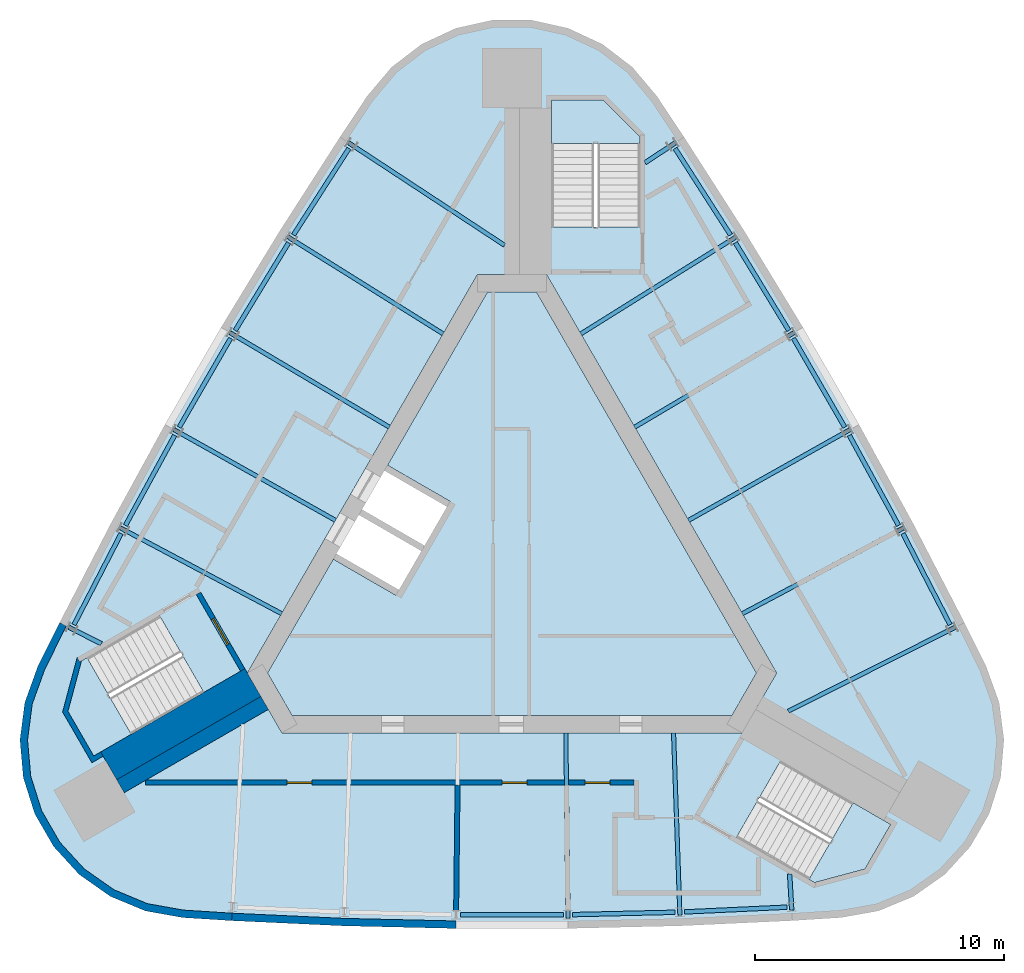
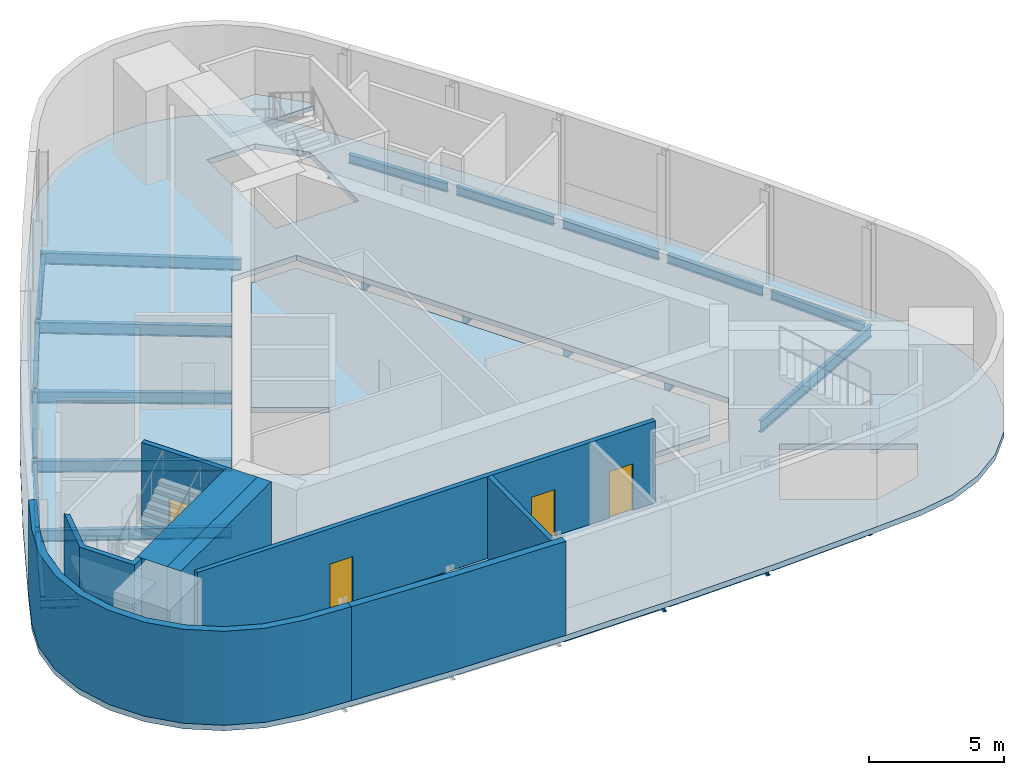
# One storey, part 3 of 7: 28 beams, 8 walls, 5 slabs, 4 doors, 4 openings, 3 elements without a shape of their own.
"""IFC4 building model written with IfcOpenShell, lengths in metres."""

from ifc_helpers import new_model, si_unit, direction, frame, frame_2d, origin, origin_2d, place, context, subcontext, project, spatial, polyline, rectangle, i_section, outline, extrude, material, layer, layer_set, material_profile, profile_set, type_object, element, fill, aggregate, save


model = new_model("IFC4")

# Units and contexts
model_context = context("Model", 3, precision=1e-05, world=origin(), true_north=direction((0.0, 1.0)))
body_context = subcontext(model_context, "Body", "Model", "MODEL_VIEW")
ifc_project = project(units=[si_unit("LENGTHUNIT", "METRE"), si_unit("AREAUNIT", "SQUARE_METRE"), si_unit("VOLUMEUNIT", "CUBIC_METRE"), si_unit("PLANEANGLEUNIT", "RADIAN"), si_unit("MASSUNIT", "GRAM", prefix="KILO")], contexts=[model_context])

# Site, building, storey
site_placement = place(None, origin())
site = spatial("IfcSite", under=ifc_project, at=site_placement, CompositionType="ELEMENT")
building_placement = place(site_placement, origin())
building = spatial("IfcBuilding", under=site, at=building_placement, Name="Noor Cloister Tower", CompositionType="ELEMENT")
storey_placement = place(building_placement, frame((0.0, 0.0, 293.10009765625)))
storey = spatial("IfcBuildingStorey", under=building, at=storey_placement, Name="L74", CompositionType="ELEMENT", Elevation=293.10009765625)

# Beams
ifc_material_1 = material(Name="Steel ASTM A992 Gr 50", Category="steel")
ifc_material_profile_1 = material_profile(ifc_material_1, i_section(OverallWidth=0.177978515625, OverallDepth=0.406005859375, WebThickness=0.0078125, FlangeThickness=0.0126953125, FilletRadius=0.01025390625, at=origin_2d()), Name="W410x60")
ifc_profile_set_1 = profile_set([ifc_material_profile_1], Name="Steel ASTM A992 Gr 50")
beam_type_1 = type_object("IfcBeamType", Name="Radial beam W410x60", PredefinedType="BEAM", material=ifc_profile_set_1)
for number, where, z_axis, x_axis, name in (
    (1, (-17.762451171875, -2.69921875, -0.453125), (0.893513410786, -0.449036507141, 0.0), (0.449036507141, 0.893513410786, 0.0), "Radial beam NW 06 L74"),
    (2, (11.218994140625, -14.033203125, -0.453125), (-0.058088486933, 0.998311438222, 0.0), (-0.998311438222, -0.058088486933, 0.0), "Radial beam S 06 L74"),
    (3, (6.543701171875, 16.732421875, -0.453125), (-0.835592525802, -0.549349734526, 0.0), (0.549349734526, -0.835592525802, 0.0), "Radial beam NE 06 L74"),
):
    element("IfcBeam", number, at=place(storey_placement, frame(where, z_axis=z_axis, x_axis=x_axis)), inside=storey, type_object=beam_type_1, Name=name, PredefinedType="BEAM", context=body_context, shape_type="SweptSolid", body=[
        extrude(i_section(OverallWidth=0.177978515625, OverallDepth=0.406005859375, WebThickness=0.0078125, FlangeThickness=0.0126953125, FilletRadius=0.01025390625, at=origin_2d()), origin(), (0.0, 0.0, 1.0), 1.44580078125),
    ])
ifc_material_2 = material(Name="Steel ASTM A992 Gr 50", Category="steel")
ifc_material_profile_2 = material_profile(ifc_material_2, i_section(OverallWidth=0.166015625, OverallDepth=0.528076171875, WebThickness=0.009765625, FlangeThickness=0.013671875, FilletRadius=0.0126953125, at=origin_2d()), Name="W530x74")
ifc_profile_set_2 = profile_set([ifc_material_profile_2], Name="Steel ASTM A992 Gr 50")
beam_type_2 = type_object("IfcBeamType", Name="Radial beam W530x74", PredefinedType="BEAM", material=ifc_profile_set_2)
beam_1_placement = place(storey_placement, frame((-6.543701171875, 16.732421875, -0.51416015625), z_axis=(0.835597066484, -0.549342827825, 0.0), x_axis=(0.549342827825, 0.835597066484, 0.0)))
element("IfcBeam", 4, at=beam_1_placement, inside=storey, type_object=beam_type_2, Name="Radial beam NW 01 L74", PredefinedType="BEAM", context=body_context, shape_type="SweptSolid", body=[
    extrude(i_section(OverallWidth=0.166015625, OverallDepth=0.528076171875, WebThickness=0.009765625, FlangeThickness=0.013671875, FilletRadius=0.0126953125, at=origin_2d()), origin(), (0.0, 0.0, 1.0), 7.47216796875),
])
beam_2_placement = place(storey_placement, frame((-8.966552734375, 12.952392578125, -0.51416015625), z_axis=(0.848095755563, -0.529842985606, 0.0), x_axis=(0.529842985606, 0.848095755563, 0.0)))
element("IfcBeam", 5, at=beam_2_placement, inside=storey, type_object=beam_type_2, Name="Radial beam NW 02 L74", PredefinedType="BEAM", context=body_context, shape_type="SweptSolid", body=[
    extrude(i_section(OverallWidth=0.166015625, OverallDepth=0.528076171875, WebThickness=0.009765625, FlangeThickness=0.013671875, FilletRadius=0.0126953125, at=origin_2d()), origin(), (0.0, 0.0, 1.0), 7.317626953125),
])
beam_3_placement = place(storey_placement, frame((-11.301025390625, 9.116943359375, -0.51416015625), z_axis=(0.8601674766, -0.510011678492, 0.0), x_axis=(0.510011678492, 0.8601674766, 0.0)))
element("IfcBeam", 6, at=beam_3_placement, inside=storey, type_object=beam_type_2, Name="Radial beam NW 03 L74", PredefinedType="BEAM", context=body_context, shape_type="SweptSolid", body=[
    extrude(i_section(OverallWidth=0.166015625, OverallDepth=0.528076171875, WebThickness=0.009765625, FlangeThickness=0.013671875, FilletRadius=0.0126953125, at=origin_2d()), origin(), (0.0, 0.0, 1.0), 7.41796875),
])
beam_4_placement = place(storey_placement, frame((-13.546142578125, 5.228515625, -0.51416015625), z_axis=(0.871771481583, -0.489912730901, 0.0), x_axis=(0.489912730901, 0.871771481583, 0.0)))
element("IfcBeam", 7, at=beam_4_placement, inside=storey, type_object=beam_type_2, Name="Radial beam NW 04 L74", PredefinedType="BEAM", context=body_context, shape_type="SweptSolid", body=[
    extrude(i_section(OverallWidth=0.166015625, OverallDepth=0.528076171875, WebThickness=0.009765625, FlangeThickness=0.013671875, FilletRadius=0.0126953125, at=origin_2d()), origin(), (0.0, 0.0, 1.0), 7.417724609375),
])
beam_5_placement = place(storey_placement, frame((-15.7001953125, 1.2890625, -0.51416015625), z_axis=(0.882900936167, -0.469559300745, 0.0), x_axis=(0.469559300745, 0.882900936167, 0.0)))
element("IfcBeam", 8, at=beam_5_placement, inside=storey, type_object=beam_type_2, Name="Radial beam NW 05 L74", PredefinedType="BEAM", context=body_context, shape_type="SweptSolid", body=[
    extrude(i_section(OverallWidth=0.166015625, OverallDepth=0.528076171875, WebThickness=0.009765625, FlangeThickness=0.013671875, FilletRadius=0.0126953125, at=origin_2d()), origin(), (0.0, 0.0, 1.0), 7.317626953125),
])
beam_6_placement = place(storey_placement, frame((2.244873046875, -14.345458984375, -0.51416015625), z_axis=(-0.011585411151, 0.999932886872, 0.0), x_axis=(-0.999932886872, -0.011585411151, 0.0)))
element("IfcBeam", 9, at=beam_6_placement, inside=storey, type_object=beam_type_2, Name="Radial beam S 04 L74", PredefinedType="BEAM", context=body_context, shape_type="SweptSolid", body=[
    extrude(i_section(OverallWidth=0.166015625, OverallDepth=0.528076171875, WebThickness=0.009765625, FlangeThickness=0.013671875, FilletRadius=0.0126953125, at=origin_2d()), origin(), (0.0, 0.0, 1.0), 7.417724609375),
])
beam_7_placement = place(storey_placement, frame((6.733642578125, -14.241455078125, -0.51416015625), z_axis=(-0.034764484893, 0.999395532605, 0.0), x_axis=(-0.999395532605, -0.034764484893, 0.0)))
element("IfcBeam", 10, at=beam_7_placement, inside=storey, type_object=beam_type_2, Name="Radial beam S 05 L74", PredefinedType="BEAM", context=body_context, shape_type="SweptSolid", body=[
    extrude(i_section(OverallWidth=0.166015625, OverallDepth=0.528076171875, WebThickness=0.009765625, FlangeThickness=0.013671875, FilletRadius=0.0126953125, at=origin_2d()), origin(), (0.0, 0.0, 1.0), 7.317626953125),
])
beam_8_placement = place(storey_placement, frame((17.762451171875, -2.69921875, -0.51416015625), z_axis=(-0.893543245424, -0.448977135897, 0.0), x_axis=(0.448977135897, -0.893543245424, 0.0)))
element("IfcBeam", 11, at=beam_8_placement, inside=storey, type_object=beam_type_2, Name="Radial beam NE 01 L74", PredefinedType="BEAM", context=body_context, shape_type="SweptSolid", body=[
    extrude(i_section(OverallWidth=0.166015625, OverallDepth=0.528076171875, WebThickness=0.009765625, FlangeThickness=0.013671875, FilletRadius=0.0126953125, at=origin_2d()), origin(), (0.0, 0.0, 1.0), 7.471923828125),
])
beam_9_placement = place(storey_placement, frame((15.7001953125, 1.2890625, -0.51416015625), z_axis=(-0.882900936167, -0.469559300745, 0.0), x_axis=(0.469559300745, -0.882900936167, 0.0)))
element("IfcBeam", 12, at=beam_9_placement, inside=storey, type_object=beam_type_2, Name="Radial beam NE 02 L74", PredefinedType="BEAM", context=body_context, shape_type="SweptSolid", body=[
    extrude(i_section(OverallWidth=0.166015625, OverallDepth=0.528076171875, WebThickness=0.009765625, FlangeThickness=0.013671875, FilletRadius=0.0126953125, at=origin_2d()), origin(), (0.0, 0.0, 1.0), 7.317626953125),
])
beam_10_placement = place(storey_placement, frame((13.546142578125, 5.228515625, -0.51416015625), z_axis=(-0.871771481583, -0.489912730901, 0.0), x_axis=(0.489912730901, -0.871771481583, 0.0)))
element("IfcBeam", 13, at=beam_10_placement, inside=storey, type_object=beam_type_2, Name="Radial beam NE 03 L74", PredefinedType="BEAM", context=body_context, shape_type="SweptSolid", body=[
    extrude(i_section(OverallWidth=0.166015625, OverallDepth=0.528076171875, WebThickness=0.009765625, FlangeThickness=0.013671875, FilletRadius=0.0126953125, at=origin_2d()), origin(), (0.0, 0.0, 1.0), 7.417724609375),
])
beam_11_placement = place(storey_placement, frame((11.301025390625, 9.116943359375, -0.51416015625), z_axis=(-0.8601674766, -0.510011678492, 0.0), x_axis=(0.510011678492, -0.8601674766, 0.0)))
element("IfcBeam", 14, at=beam_11_placement, inside=storey, type_object=beam_type_2, Name="Radial beam NE 04 L74", PredefinedType="BEAM", context=body_context, shape_type="SweptSolid", body=[
    extrude(i_section(OverallWidth=0.166015625, OverallDepth=0.528076171875, WebThickness=0.009765625, FlangeThickness=0.013671875, FilletRadius=0.0126953125, at=origin_2d()), origin(), (0.0, 0.0, 1.0), 7.41796875),
])
beam_12_placement = place(storey_placement, frame((8.966552734375, 12.952392578125, -0.51416015625), z_axis=(-0.848095755563, -0.529842985606, 0.0), x_axis=(0.529842985606, -0.848095755563, 0.0)))
element("IfcBeam", 15, at=beam_12_placement, inside=storey, type_object=beam_type_2, Name="Radial beam NE 05 L74", PredefinedType="BEAM", context=body_context, shape_type="SweptSolid", body=[
    extrude(i_section(OverallWidth=0.166015625, OverallDepth=0.528076171875, WebThickness=0.009765625, FlangeThickness=0.013671875, FilletRadius=0.0126953125, at=origin_2d()), origin(), (0.0, 0.0, 1.0), 7.317626953125),
])
ifc_material_3 = material(Name="Steel ASTM A992 Gr 50", Category="steel")
ifc_material_profile_3 = material_profile(ifc_material_3, i_section(OverallWidth=0.177978515625, OverallDepth=0.406005859375, WebThickness=0.0078125, FlangeThickness=0.0126953125, FilletRadius=0.01025390625, at=origin_2d()), Name="W410x60")
ifc_profile_set_3 = profile_set([ifc_material_profile_3], Name="Steel ASTM A992 Gr 50")
beam_type_3 = type_object("IfcBeamType", Name="Spandrel beam W410x60", PredefinedType="SPANDREL", material=ifc_profile_set_3)
for number, where, z_axis, x_axis, name in (
    (16, (-6.541015625, 16.510498046875, -0.453125), (-0.539591790673, -0.841926777956, 0.0), (0.841926777956, -0.539591790673, 0.0), "Spandrel beam NW 01 L74"),
    (17, (-8.958740234375, 12.73046875, -0.453125), (-0.519967629608, -0.854185965794, 0.0), (0.854185965794, -0.519967629608, 0.0), "Spandrel beam NW 02 L74"),
    (18, (-11.2880859375, 8.8955078125, -0.453125), (-0.499989236795, -0.866031617834, 0.0), (0.866031617834, -0.499989236795, 0.0), "Spandrel beam NW 03 L74"),
    (19, (-13.528076171875, 5.00732421875, -0.453125), (-0.479794519486, -0.877380885973, 0.0), (0.877380885973, -0.479794519486, 0.0), "Spandrel beam NW 04 L74"),
    (20, (-15.677001953125, 1.068359375, -0.453125), (-0.459334235581, -0.888263508213, 0.0), (0.888263508213, -0.459334235581, 0.0), "Spandrel beam NW 05 L74"),
    (21, (-2.0595703125, -14.2236328125, -0.453125), (1.0, 0.0, 0.0), (0.0, 1.0, 0.0), "Spandrel beam S 03 L74"),
):
    element("IfcBeam", number, at=place(storey_placement, frame(where, z_axis=z_axis, x_axis=x_axis)), inside=storey, type_object=beam_type_3, Name=name, PredefinedType="SPANDREL", context=body_context, shape_type="SweptSolid", body=[
        extrude(i_section(OverallWidth=0.177978515625, OverallDepth=0.406005859375, WebThickness=0.0078125, FlangeThickness=0.0126953125, FilletRadius=0.01025390625, at=origin_2d()), origin(), (0.0, 0.0, 1.0), 4.119140625),
    ])
beam_13_placement = place(storey_placement, frame((2.427490234375, -14.21923828125, -0.453125), z_axis=(0.999731452345, 0.023173760841, 0.0), x_axis=(-0.023173760841, 0.999731452345, 0.0)))
element("IfcBeam", 22, at=beam_13_placement, inside=storey, type_object=beam_type_3, Name="Spandrel beam S 04 L74", PredefinedType="SPANDREL", context=body_context, shape_type="SweptSolid", body=[
    extrude(i_section(OverallWidth=0.177978515625, OverallDepth=0.406005859375, WebThickness=0.0078125, FlangeThickness=0.0126953125, FilletRadius=0.01025390625, at=origin_2d()), origin(), (0.0, 0.0, 1.0), 4.119384765625),
])
for number, where, z_axis, x_axis, name in (
    (23, (6.913330078125, -14.11083984375, -0.453125), (0.998925325351, 0.046348617801, 0.0), (-0.046348617801, 0.998925325351, 0.0), "Spandrel beam S 05 L74"),
    (24, (17.569091796875, -2.590576171875, -0.453125), (-0.459334235581, 0.888263508213, 0.0), (-0.888263508213, -0.459334235581, 0.0), "Spandrel beam NE 01 L74"),
    (25, (15.50439453125, 1.393310546875, -0.453125), (-0.479794519486, 0.877380885973, 0.0), (-0.877380885973, -0.479794519486, 0.0), "Spandrel beam NE 02 L74"),
    (26, (13.34765625, 5.328125, -0.453125), (-0.499989236795, 0.866031617834, 0.0), (-0.866031617834, -0.499989236795, 0.0), "Spandrel beam NE 03 L74"),
    (27, (11.1005859375, 9.2119140625, -0.453125), (-0.519967629608, 0.854185965794, 0.0), (-0.854185965794, -0.519967629608, 0.0), "Spandrel beam NE 04 L74"),
    (28, (8.763671875, 13.04248046875, -0.453125), (-0.539591790673, 0.841926777956, 0.0), (-0.841926777956, -0.539591790673, 0.0), "Spandrel beam NE 05 L74"),
):
    element("IfcBeam", number, at=place(storey_placement, frame(where, z_axis=z_axis, x_axis=x_axis)), inside=storey, type_object=beam_type_3, Name=name, PredefinedType="SPANDREL", context=body_context, shape_type="SweptSolid", body=[
        extrude(i_section(OverallWidth=0.177978515625, OverallDepth=0.406005859375, WebThickness=0.0078125, FlangeThickness=0.0126953125, FilletRadius=0.01025390625, at=origin_2d()), origin(), (0.0, 0.0, 1.0), 4.119140625),
    ])

# Slabs
ifc_material_4 = material(Name="Concrete C40/50", Category="concrete")
ifc_layer_1 = layer(ifc_material_4, 0.25)
ifc_layer_set_1 = layer_set([ifc_layer_1], Name="Core floor slab 250 C40/50")
slab_type_1 = type_object("IfcSlabType", Name="Core floor slab 250 C40/50", PredefinedType="FLOOR", material=ifc_layer_set_1)
slab_1_placement = place(storey_placement, frame((0.0, 0.0, -0.25)))
element("IfcSlab", 29, at=slab_1_placement, inside=storey, type_object=slab_type_1, Name="Core floor L74", PredefinedType="FLOOR", context=body_context, shape_type="SweptSolid", body=[
    extrude(outline(polyline([(-4.993896484375, 3.806884765625), (-2.482421875, 2.35693359375), (-4.6572265625, -1.410400390625), (-7.168701171875, 0.039794921875), (-9.80615234375, -4.5283203125), (-8.82470703125, -6.228271484375), (8.82470703125, -6.228271484375), (9.80615234375, -4.5283203125), (0.9814453125, 10.75634765625), (-0.9814453125, 10.75634765625), (-4.993896484375, 3.806884765625)])), origin(), (0.0, 0.0, 1.0), 0.25),
])
ifc_material_5 = material(Name="Concrete C40/50", Category="concrete")
ifc_layer_2 = layer(ifc_material_5, 0.25)
ifc_layer_set_2 = layer_set([ifc_layer_2], Name="Floor slab 250 C40/50")
slab_type_2 = type_object("IfcSlabType", Name="Floor slab 250 C40/50", PredefinedType="FLOOR", material=ifc_layer_set_2)
slab_2_placement = place(storey_placement, frame((0.0, 0.0, -0.25)))
element("IfcSlab", 30, at=slab_2_placement, inside=storey, type_object=slab_type_2, Name="Floor slab L74", PredefinedType="FLOOR", context=body_context, shape_type="SweptSolid", body=[
    extrude(outline(polyline([(5.809814453125, 18.609619140625), (4.830078125, 19.771484375), (3.62255859375, 20.69482421875), (2.244140625, 21.33544921875), (0.760009765625, 21.66357421875), (-0.760009765625, 21.66357421875), (-2.244140625, 21.33544921875), (-3.62255859375, 20.69482421875), (-4.830078125, 19.771484375), (-5.809814453125, 18.609619140625), (-6.9013671875, 16.967529296875), (-9.32958984375, 13.178955078125), (-11.669189453125, 9.335205078125), (-13.919189453125, 5.438232421875), (-16.078125, 1.489990234375), (-18.14501953125, -2.507080078125), (-19.021240234375, -4.2734375), (-19.53759765625, -5.702880859375), (-19.7333984375, -7.210205078125), (-19.59912109375, -8.724365234375), (-19.14111328125, -10.173583984375), (-18.381103515625, -11.489990234375), (-17.35498046875, -12.611083984375), (-16.11083984375, -13.484619140625), (-14.707763671875, -14.068603515625), (-13.21142578125, -14.336181640625), (-11.24365234375, -14.46044921875), (-6.74853515625, -14.669189453125), (-2.25, -14.7734375), (2.25, -14.7734375), (6.74853515625, -14.669189453125), (11.24365234375, -14.46044921875), (13.21142578125, -14.336181640625), (14.707763671875, -14.068603515625), (16.11083984375, -13.484619140625), (17.35498046875, -12.611083984375), (18.381103515625, -11.489990234375), (19.14111328125, -10.173583984375), (19.59912109375, -8.724365234375), (19.7333984375, -7.210205078125), (19.53759765625, -5.702880859375), (19.021240234375, -4.2734375), (18.14501953125, -2.507080078125), (16.078125, 1.489990234375), (13.919189453125, 5.438232421875), (11.669189453125, 9.335205078125), (9.32958984375, 13.178955078125), (6.9013671875, 16.967529296875), (5.809814453125, 18.609619140625)]), holes=[polyline([(8.999755859375, -11.126220703125), (12.131591796875, -12.934326171875), (14.1572265625, -12.3916015625), (15.19091796875, -10.601318359375), (10.774658203125, -8.0517578125), (8.999755859375, -11.126220703125)]), polyline([(-17.81005859375, -6.064697265625), (-16.776611328125, -7.85498046875), (-12.3603515625, -5.305419921875), (-14.13525390625, -2.23095703125), (-16.662841796875, -3.690185546875), (-17.267333984375, -4.039306640625), (-17.81005859375, -6.064697265625)]), polyline([(-10.6142578125, -4.5283203125), (-9.228759765625, -6.92822265625), (9.228759765625, -6.92822265625), (10.6142578125, -4.5283203125), (1.3857421875, 11.456298828125), (-1.3857421875, 11.456298828125), (-10.6142578125, -4.5283203125)]), polyline([(3.65283203125, 18.456298828125), (1.585693359375, 18.456298828125), (1.585693359375, 13.35693359375), (5.135498046875, 13.35693359375), (5.135498046875, 16.9736328125), (3.65283203125, 18.456298828125)])]), origin(), (0.0, 0.0, 1.0), 0.25),
])

# Stair, slab
ifc_material_6 = material(Name="Concrete C40/50", Category="concrete")
stair_type = type_object("IfcStairType", Name="Exit stair 26 risers", PredefinedType="HALF_TURN_STAIR", material=ifc_material_6)
stair_1_placement = place(storey_placement, origin())
stair_1 = element("IfcStair", 31, at=stair_1_placement, inside=storey, type_object=stair_type, Name="Exit stair ST1 L74", PredefinedType="HALF_TURN_STAIR")
ifc_material_7 = material(Name="Concrete C40/50", Category="concrete")
ifc_layer_3 = layer(ifc_material_7, 0.199951171875)
ifc_layer_set_3 = layer_set([ifc_layer_3], Name="Stair landing 200 C40/50")
slab_type_3 = type_object("IfcSlabType", Name="Stair landing 200 C40/50", PredefinedType="LANDING", material=ifc_layer_set_3)
slab_3_placement = place(storey_placement, frame((0.0, 0.0, 2.0498046875)))
slab_3 = element("IfcSlab", 32, at=slab_3_placement, type_object=slab_type_3, Name="ST1 landing 1", PredefinedType="LANDING", context=body_context, shape_type="SweptSolid", body=[
    extrude(outline(polyline([(5.135498046875, 16.7158203125), (5.135498046875, 16.9736328125), (3.65283203125, 18.456298828125), (1.585693359375, 18.456298828125), (1.585693359375, 16.7158203125), (5.135498046875, 16.7158203125)])), origin(), (0.0, 0.0, 1.0), 0.2001953125),
])
aggregate(stair_1, [slab_3])

stair_2_placement = place(storey_placement, origin())
stair_2 = element("IfcStair", 33, at=stair_2_placement, inside=storey, type_object=stair_type, Name="Exit stair ST2 L74", PredefinedType="HALF_TURN_STAIR")
slab_4_placement = place(storey_placement, frame((0.0, 0.0, 2.0498046875)))
slab_4 = element("IfcSlab", 34, at=slab_4_placement, type_object=slab_type_3, Name="ST2 landing 1", PredefinedType="LANDING", context=body_context, shape_type="SweptSolid", body=[
    extrude(outline(polyline([(-17.044189453125, -3.910400390625), (-17.267333984375, -4.039306640625), (-17.81005859375, -6.064697265625), (-16.776611328125, -7.85498046875), (-15.26904296875, -6.984619140625), (-17.044189453125, -3.910400390625)])), origin(), (0.0, 0.0, 1.0), 0.2001953125),
])
aggregate(stair_2, [slab_4])

stair_3_placement = place(storey_placement, origin())
stair_3 = element("IfcStair", 35, at=stair_3_placement, inside=storey, type_object=stair_type, Name="Exit stair ST3 L74", PredefinedType="HALF_TURN_STAIR")
slab_5_placement = place(storey_placement, frame((0.0, 0.0, 2.0498046875)))
slab_5 = element("IfcSlab", 36, at=slab_5_placement, type_object=slab_type_3, Name="ST3 landing 1", PredefinedType="LANDING", context=body_context, shape_type="SweptSolid", body=[
    extrude(outline(polyline([(11.908447265625, -12.805419921875), (12.131591796875, -12.934326171875), (14.1572265625, -12.3916015625), (15.19091796875, -10.601318359375), (13.68359375, -9.731201171875), (11.908447265625, -12.805419921875)])), origin(), (0.0, 0.0, 1.0), 0.2001953125),
])
aggregate(stair_3, [slab_5])

# Walls
ifc_material_8 = material(Name="Concrete C50/60", Category="concrete")
ifc_layer_4 = layer(ifc_material_8, 0.60009765625)
ifc_layer_set_4 = layer_set([ifc_layer_4], Name="Buttress wall 600 C50/60")
wall_type_1 = type_object("IfcWallType", Name="Buttress wall 600 C50/60", PredefinedType="SHEAR", material=ifc_layer_set_4)
wall_1_placement = place(storey_placement, frame((-9.921630859375, -5.728271484375, -0.25), z_axis=(0.0, 0.0, 1.0), x_axis=(-0.866032176823, -0.499988268569, 0.0)))
element("IfcWall", 37, at=wall_1_placement, inside=storey, type_object=wall_type_1, Name="Buttress wall SW L74", PredefinedType="SHEAR", context=body_context, shape_type="SweptSolid", body=[
    extrude(rectangle(XDim=6.678466796875, YDim=0.60009765625, at=frame_2d((3.33935546875, 0.0))), origin(), (0.0, 0.0, 1.0), 4.5),
])
ifc_material_9 = material(Name="Limestone", Category="masonry")
ifc_layer_5 = layer(ifc_material_9, 0.300048828125)
ifc_layer_set_5 = layer_set([ifc_layer_5], Name="Limestone cladding 300")
wall_type_2 = type_object("IfcWallType", Name="Limestone cladding 300", PredefinedType="NOTDEFINED", material=ifc_layer_set_5)
wall_2_placement = place(storey_placement, origin())
element("IfcWall", 38, at=wall_2_placement, inside=storey, type_object=wall_type_2, Name="Limestone pier cladding L74 1.1", PredefinedType="NOTDEFINED", context=body_context, shape_type="SweptSolid", body=[
    extrude(outline(polyline([(-18.14501953125, -2.507080078125), (-19.021240234375, -4.2734375), (-19.53759765625, -5.702880859375), (-19.7333984375, -7.210205078125), (-19.59912109375, -8.724365234375), (-19.14111328125, -10.173583984375), (-18.381103515625, -11.489990234375), (-17.35498046875, -12.611083984375), (-16.11083984375, -13.484619140625), (-14.707763671875, -14.068603515625), (-13.21142578125, -14.336181640625), (-11.24365234375, -14.46044921875), (-11.224853515625, -14.1611328125), (-13.175537109375, -14.037841796875), (-14.62255859375, -13.779052734375), (-15.96533203125, -13.22021484375), (-17.15576171875, -12.384521484375), (-18.1376953125, -11.3115234375), (-18.864990234375, -10.052001953125), (-19.30322265625, -8.6650390625), (-19.431640625, -7.21630859375), (-19.244384765625, -5.77392578125), (-18.744873046875, -4.391357421875), (-17.876220703125, -2.640380859375), (-18.14501953125, -2.507080078125)])), origin(), (0.0, 0.0, 1.0), 4.25),
])
ifc_material_10 = material(Name="Limestone", Category="masonry")
ifc_layer_6 = layer(ifc_material_10, 0.300048828125)
ifc_layer_set_6 = layer_set([ifc_layer_6], Name="Limestone panel wall 300")
wall_type_3 = type_object("IfcWallType", Name="Limestone panel wall 300", PredefinedType="NOTDEFINED", material=ifc_layer_set_6)
wall_3_placement = place(storey_placement, origin())
element("IfcWall", 39, at=wall_3_placement, inside=storey, type_object=wall_type_3, Name="Limestone crown wall L74 2a", PredefinedType="NOTDEFINED", context=body_context, shape_type="SweptSolid", body=[
    extrude(outline(polyline([(-11.24365234375, -14.46044921875), (-6.74853515625, -14.669189453125), (-2.25, -14.7734375), (-2.242919921875, -14.4736328125), (-6.73828125, -14.369384765625), (-11.229736328125, -14.160888671875), (-11.24365234375, -14.46044921875)])), origin(), (0.0, 0.0, 1.0), 4.25),
])
ifc_material_11 = material(Name="Concrete C50/60", Category="concrete")
ifc_layer_7 = layer(ifc_material_11, 1.285888671875)
ifc_layer_set_7 = layer_set([ifc_layer_7], Name="Stair enclosure wall 1286 C50/60")
wall_type_4 = type_object("IfcWallType", Name="Stair enclosure wall 1286 C50/60", PredefinedType="SHEAR", material=ifc_layer_set_7)
wall_4_placement = place(storey_placement, frame((-10.392822265625, -4.91162109375, -0.25), z_axis=(0.0, 0.0, 1.0), x_axis=(-0.866025486527, -0.499999856685, 0.0)))
element("IfcWall", 40, at=wall_4_placement, inside=storey, type_object=wall_type_4, Name="Stair enclosure wall ST2 L74 riser side", PredefinedType="SHEAR", context=body_context, shape_type="SweptSolid", body=[
    extrude(rectangle(XDim=6.6787109375, YDim=1.28564453125, at=frame_2d((3.33935546875, 0.0))), origin(), (0.0, 0.0, 1.0), 4.5),
])

# Wall, opening, door
ifc_material_12 = material(Name="Concrete C50/60", Category="concrete")
ifc_layer_8 = layer(ifc_material_12, 0.199951171875)
ifc_layer_set_8 = layer_set([ifc_layer_8], Name="Stair enclosure wall 200 C50/60")
wall_type_5 = type_object("IfcWallType", Name="Stair enclosure wall 200 C50/60", PredefinedType="SHEAR", material=ifc_layer_set_8)
wall_5_placement = place(storey_placement, frame((-12.575927734375, -1.33056640625, -0.25), z_axis=(0.0, 0.0, 1.0), x_axis=(0.499970499736, -0.8660424351, 0.0)))
wall_5 = element("IfcWall", 41, at=wall_5_placement, inside=storey, type_object=wall_type_5, Name="Stair enclosure wall ST2 L74 near end", PredefinedType="SHEAR", context=body_context, shape_type="SweptSolid", body=[
    extrude(rectangle(XDim=3.550048828125, YDim=0.199951171875, at=frame_2d((1.77490234375, 0.0))), origin(), (0.0, 0.0, 1.0), 4.5),
])
opening_1_placement = place(wall_5_placement, frame((1.175048828125, 0.0, 0.25)))
opening_1 = element("IfcOpeningElement", 42, at=opening_1_placement, cuts=wall_5, Name="Opening L74-ST2L", PredefinedType="OPENING", context=body_context, shape_type="SweptSolid", body=[
    extrude(rectangle(XDim=1.199951171875, YDim=2.10009765625, at=frame_2d((0.60009765625, 1.050048828125))), frame((0.0, 0.10986328125, 0.0), z_axis=(0.0, -1.0, 0.0), x_axis=(1.0, 0.0, 0.0)), (0.0, 0.0, 1.0), 0.219970703125),
])
ifc_material_13 = material(Name="Steel", Category="steel")
door_type_1 = type_object("IfcDoorType", Name="Stair door 1200 x 2100 FD120", OperationType="SINGLE_SWING_LEFT", PredefinedType="DOOR", material=ifc_material_13)
door_1_placement = place(opening_1_placement, origin())
door_1 = element("IfcDoor", 43, at=door_1_placement, inside=storey, type_object=door_type_1, Name="Stair door ST2 L74", OperationType="SINGLE_SWING_RIGHT", OverallHeight=2.10009765625, OverallWidth=1.199951171875, PredefinedType="DOOR", context=body_context, shape_type="SweptSolid", body=[
    extrude(rectangle(XDim=1.199951171875, YDim=2.10009765625, at=frame_2d((0.60009765625, 1.050048828125))), frame((0.0, 0.02490234375, 0.0), z_axis=(0.0, -1.0, 0.0), x_axis=(1.0, 0.0, 0.0)), (0.0, 0.0, 1.0), 0.050048828125),
])
fill(opening_1, door_1)

# Wall
ifc_material_14 = material(Name="Concrete C50/60", Category="concrete")
wall_type_6 = type_object("IfcWallType", Name="Stair far end wall C50/60", PredefinedType="SHEAR", material=ifc_material_14)
wall_6_placement = place(storey_placement, frame((0.0, 0.0, -0.25)))
element("IfcWall", 44, at=wall_6_placement, inside=storey, type_object=wall_type_6, Name="Stair enclosure wall ST2 L74 far end", PredefinedType="SHEAR", context=body_context, shape_type="SweptSolid", body=[
    extrude(outline(polyline([(-17.439208984375, -3.907470703125), (-18.024658203125, -6.093017578125), (-16.849609375, -8.128173828125), (-16.398193359375, -7.867431640625), (-16.498291015625, -7.6943359375), (-16.498291015625, -7.6943359375), (-16.776611328125, -7.85498046875), (-17.81005859375, -6.064697265625), (-17.267333984375, -4.039306640625), (-17.339111328125, -4.08056640625), (-17.339111328125, -4.08056640625), (-17.339111328125, -4.08056640625), (-17.339111328125, -4.08056640625), (-17.339111328125, -4.08056640625), (-17.339111328125, -4.08056640625), (-17.339111328125, -4.08056640625), (-17.339111328125, -4.08056640625), (-17.339111328125, -4.08056640625), (-17.339111328125, -4.08056640625), (-17.339111328125, -4.08056640625), (-17.339111328125, -4.08056640625), (-17.339111328125, -4.08056640625), (-17.339111328125, -4.08056640625), (-17.339111328125, -4.08056640625), (-17.339111328125, -4.08056640625), (-17.339111328125, -4.08056640625), (-17.439208984375, -3.907470703125)])), origin(), (0.0, 0.0, 1.0), 4.5),
])

# Wall, openings, doors
ifc_material_15 = material(Name="Concrete block wall, 200 mm", Category="concrete")
ifc_layer_9 = layer(ifc_material_15, 0.199951171875)
ifc_layer_set_9 = layer_set([ifc_layer_9], Name="Upper floor plant room wall 200")
wall_type_7 = type_object("IfcWallType", Name="Upper floor plant room wall 200", PredefinedType="PARTITIONING", material=ifc_layer_set_9)
wall_7_placement = place(storey_placement, frame((-14.69091796875, -8.92822265625, 0.0), z_axis=(0.0, 0.0, 1.0), x_axis=(1.0, 0.0, 0.0)))
wall_7 = element("IfcWall", 45, at=wall_7_placement, inside=storey, type_object=wall_type_7, Name="Upper floor plant room wall 200 L74 010", PredefinedType="PARTITIONING", context=body_context, shape_type="SweptSolid", body=[
    extrude(rectangle(XDim=19.5908203125, YDim=0.199951171875, at=frame_2d((9.79541015625, 0.0))), origin(), (0.0, 0.0, 1.0), 3.701904296875),
])
opening_2_placement = place(wall_7_placement, frame((5.667724609375, 0.0, 0.0)))
opening_2 = element("IfcOpeningElement", 46, at=opening_2_placement, cuts=wall_7, Name="Opening L74-004", PredefinedType="OPENING", context=body_context, shape_type="SweptSolid", body=[
    extrude(rectangle(XDim=1.0, YDim=2.10009765625, at=frame_2d((0.5, 1.050048828125))), frame((0.0, 0.10986328125, 0.0), z_axis=(0.0, -1.0, 0.0), x_axis=(1.0, 0.0, 0.0)), (0.0, 0.0, 1.0), 0.219970703125),
])
opening_3_placement = place(wall_7_placement, frame((14.29345703125, 0.0, 0.0)))
opening_3 = element("IfcOpeningElement", 47, at=opening_3_placement, cuts=wall_7, Name="Opening L74-005", PredefinedType="OPENING", context=body_context, shape_type="SweptSolid", body=[
    extrude(rectangle(XDim=1.0, YDim=2.10009765625, at=frame_2d((0.5, 1.050048828125))), frame((0.0, 0.10986328125, 0.0), z_axis=(0.0, -1.0, 0.0), x_axis=(1.0, 0.0, 0.0)), (0.0, 0.0, 1.0), 0.219970703125),
])
opening_4_placement = place(wall_7_placement, frame((17.6259765625, 0.0, 0.0)))
opening_4 = element("IfcOpeningElement", 48, at=opening_4_placement, cuts=wall_7, Name="Opening L74-006", PredefinedType="OPENING", context=body_context, shape_type="SweptSolid", body=[
    extrude(rectangle(XDim=1.0, YDim=2.10009765625, at=frame_2d((0.5, 1.050048828125))), frame((0.0, 0.10986328125, 0.0), z_axis=(0.0, -1.0, 0.0), x_axis=(1.0, 0.0, 0.0)), (0.0, 0.0, 1.0), 0.219970703125),
])
ifc_material_16 = material(Name="Timber door leaf with steel frame", Category="steel")
door_type_2 = type_object("IfcDoorType", Name="Plant room door 1000", OperationType="NOTDEFINED", PredefinedType="DOOR", material=ifc_material_16)
door_2_placement = place(opening_2_placement, origin())
door_2 = element("IfcDoor", 49, at=door_2_placement, inside=storey, type_object=door_type_2, Name="Plant room door 1000 L74-004", OperationType="SINGLE_SWING_LEFT", OverallHeight=2.10009765625, OverallWidth=1.0, PredefinedType="DOOR", context=body_context, shape_type="SweptSolid", body=[
    extrude(rectangle(XDim=1.0, YDim=2.10009765625, at=frame_2d((0.5, 1.050048828125))), frame((0.0, 0.02490234375, 0.0), z_axis=(0.0, -1.0, 0.0), x_axis=(1.0, 0.0, 0.0)), (0.0, 0.0, 1.0), 0.050048828125),
])
fill(opening_2, door_2)
door_3_placement = place(opening_3_placement, origin())
door_3 = element("IfcDoor", 50, at=door_3_placement, inside=storey, type_object=door_type_2, Name="Plant room door 1000 L74-005", OperationType="SINGLE_SWING_RIGHT", OverallHeight=2.10009765625, OverallWidth=1.0, PredefinedType="DOOR", context=body_context, shape_type="SweptSolid", body=[
    extrude(rectangle(XDim=1.0, YDim=2.10009765625, at=frame_2d((0.5, 1.050048828125))), frame((0.0, 0.02490234375, 0.0), z_axis=(0.0, -1.0, 0.0), x_axis=(1.0, 0.0, 0.0)), (0.0, 0.0, 1.0), 0.050048828125),
])
fill(opening_3, door_3)
door_4_placement = place(opening_4_placement, origin())
door_4 = element("IfcDoor", 51, at=door_4_placement, inside=storey, type_object=door_type_2, Name="Plant room door 1000 L74-006", OperationType="SINGLE_SWING_RIGHT", OverallHeight=2.10009765625, OverallWidth=1.0, PredefinedType="DOOR", context=body_context, shape_type="SweptSolid", body=[
    extrude(rectangle(XDim=1.0, YDim=2.10009765625, at=frame_2d((0.5, 1.050048828125))), frame((0.0, 0.02490234375, 0.0), z_axis=(0.0, -1.0, 0.0), x_axis=(1.0, 0.0, 0.0)), (0.0, 0.0, 1.0), 0.050048828125),
])
fill(opening_4, door_4)

# Wall
wall_8_placement = place(storey_placement, frame((-2.24169921875, -14.073486328125, 0.0), z_axis=(0.0, 0.0, 1.0), x_axis=(0.011566914048, 0.999933101012, 0.0)))
element("IfcWall", 52, at=wall_8_placement, inside=storey, type_object=wall_type_7, Name="Upper floor plant room wall 200 L74 011", PredefinedType="PARTITIONING", context=body_context, shape_type="SweptSolid", body=[
    extrude(rectangle(XDim=5.04443359375, YDim=0.199951171875, at=frame_2d((2.522216796875, 0.0))), origin(), (0.0, 0.0, 1.0), 3.701904296875),
])

save(model, "model.ifc")
